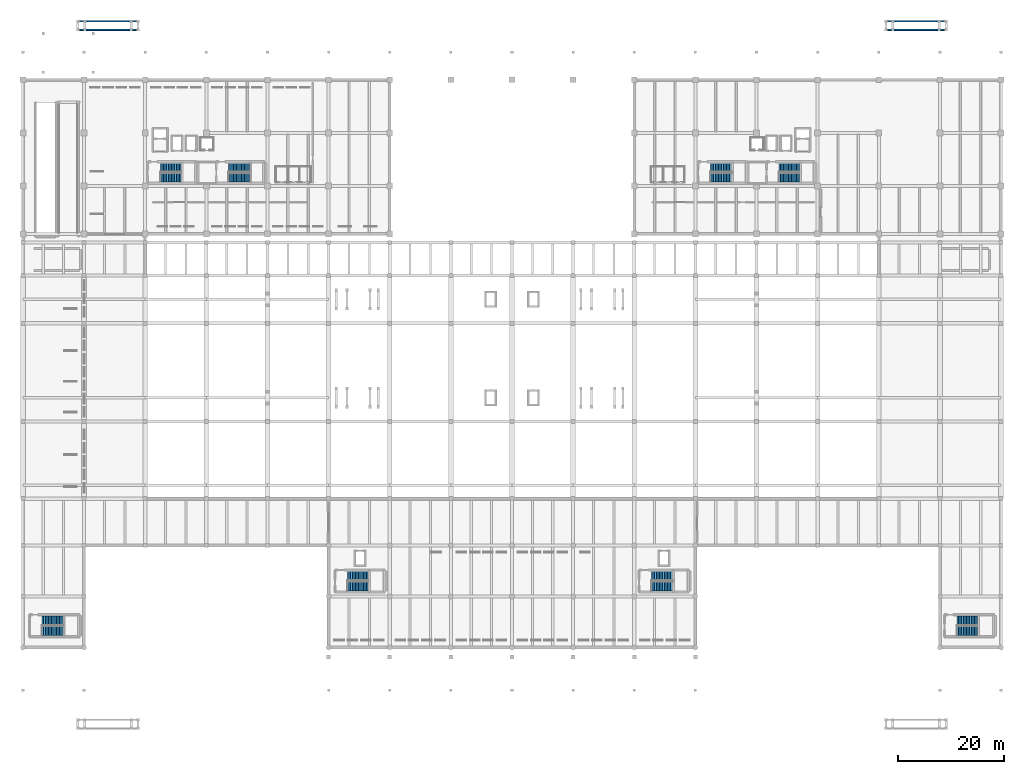
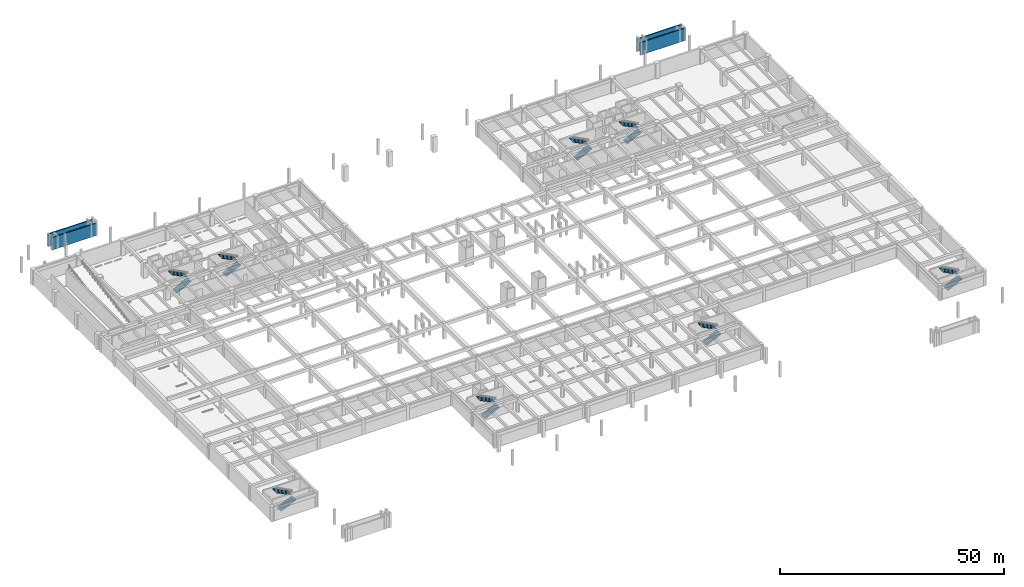
# One storey, part 16 of 20: 16 stair flights, 4 walls, 8 elements without a shape of their own.
"""IFC4 building model written with IfcOpenShell, lengths in metres."""

from ifc_helpers import new_model, si_unit, direction, frame, frame_2d, origin, place, context, subcontext, project, spatial, polyline, rectangle, outline, extrude, material, layer, layer_set, type_object, element, aggregate, save


model = new_model("IFC4")

# Units and contexts
model_context = context("Model", 3, precision=1e-05, world=origin(), true_north=direction((0.0, 1.0)))
body_context = subcontext(model_context, "Body", "Model", "MODEL_VIEW")
ifc_project = project(units=[si_unit("LENGTHUNIT", "METRE"), si_unit("AREAUNIT", "SQUARE_METRE"), si_unit("VOLUMEUNIT", "CUBIC_METRE"), si_unit("PLANEANGLEUNIT", "RADIAN"), si_unit("MASSUNIT", "GRAM", prefix="KILO")], contexts=[model_context])

# Site, building, storey
site_placement = place(None, origin())
site = spatial("IfcSite", under=ifc_project, at=site_placement, CompositionType="ELEMENT")
building_placement = place(site_placement, origin())
building = spatial("IfcBuilding", under=site, at=building_placement, Name="Ologun Quay Terminus", CompositionType="ELEMENT")
storey_placement = place(building_placement, frame((0.0, 0.0, -4.199951171875)))
storey = spatial("IfcBuildingStorey", under=building, at=storey_placement, Name="B01", CompositionType="ELEMENT", Elevation=-4.199951171875)

# Walls
ifc_material_1 = material(Name="Concrete C40/50", Category="concrete")
ifc_layer = layer(ifc_material_1, 0.27001953125)
ifc_layer_set = layer_set([ifc_layer], Name="Concrete C40/50")
wall_type = type_object("IfcWallType", Name="Vehicle Ramp Bay Structural Wall 270", PredefinedType="SHEAR", material=ifc_layer_set)
for number, where, z_axis, x_axis, name in (
    (1, (10.199951171875, 124.179931640625, 0.0), (0.0, 0.0, 1.0), (1.0, 0.0, 0.0), "SW-RMP Ramp Plinth Wall 1S B01"),
    (2, (10.199951171875, 125.820068359375, 0.0), (0.0, 0.0, 1.0), (1.0, 0.0, 0.0), "SW-RMP Ramp Plinth Wall 1N B01"),
    (3, (162.199951171875, 124.179931640625, 0.0), (0.0, 0.0, 1.0), (1.0, 0.0, 0.0), "SW-RMP Ramp Plinth Wall 2S B01"),
    (4, (162.199951171875, 125.820068359375, 0.0), (0.0, 0.0, 1.0), (1.0, 0.0, 0.0), "SW-RMP Ramp Plinth Wall 2N B01"),
):
    element("IfcWall", number, at=place(storey_placement, frame(where, z_axis=z_axis, x_axis=x_axis)), inside=storey, type_object=wall_type, Name=name, PredefinedType="SHEAR", context=body_context, shape_type="SweptSolid", body=[
        extrude(rectangle(XDim=11.60009765625, YDim=0.27001953125, at=frame_2d((5.800048828125, 0.0))), origin(), (0.0, 0.0, 1.0), 3.3798828125),
    ])

# Stair, stair flights
ifc_material_2 = material(Name="Concrete C40/50", Category="concrete")
stair_type_1 = type_object("IfcStairType", Name="Courtyard Wing Core Escape Stair 1700", PredefinedType="HALF_TURN_STAIR", material=ifc_material_2)
stair_1_placement = place(storey_placement, origin())
stair_1 = element("IfcStair", 5, at=stair_1_placement, inside=storey, type_object=stair_type_1, Name="ST-W1 Stair B01", PredefinedType="HALF_TURN_STAIR")
ifc_material_3 = material(Name="Concrete C40/50", Category="concrete")
stair_flight_type_1 = type_object("IfcStairFlightType", Name="Courtyard Wing Precast Concrete Stair Flight 1700", PredefinedType="STRAIGHT", material=ifc_material_3)
stair_flight_1_placement = place(storey_placement, frame((25.85009765625, 96.449951171875, 0.0), z_axis=(0.0, 0.0, 1.0), x_axis=(1.0, 0.0, 0.0)))
stair_flight_1 = element("IfcStairFlight", 6, at=stair_flight_1_placement, type_object=stair_flight_type_1, Name="ST-W1 Lower Flight B01", NumberOfRisers=14, NumberOfTreads=13, PredefinedType="STRAIGHT", RiserHeight=0.15, TreadLength=0.3, context=body_context, shape_type="SweptSolid", body=[
    extrude(outline(polyline([(0.0, 0.0), (0.0, 0.14990234375), (0.300048828125, 0.14990234375), (0.300048828125, 0.300048828125), (0.60009765625, 0.300048828125), (0.60009765625, 0.449951171875), (0.89990234375, 0.449951171875), (0.89990234375, 0.60009765625), (1.199951171875, 0.60009765625), (1.199951171875, 0.75), (1.5, 0.75), (1.5, 0.89990234375), (1.800048828125, 0.89990234375), (1.800048828125, 1.050048828125), (2.10009765625, 1.050048828125), (2.10009765625, 1.199951171875), (2.39990234375, 1.199951171875), (2.39990234375, 1.35009765625), (2.699951171875, 1.35009765625), (2.699951171875, 1.5), (3.0, 1.5), (3.0, 1.64990234375), (3.300048828125, 1.64990234375), (3.300048828125, 1.800048828125), (3.60009765625, 1.800048828125), (3.60009765625, 1.949951171875), (3.89990234375, 1.949951171875), (3.89990234375, 2.10009765625), (3.89990234375, 1.748779296875), (0.40234375, 0.0), (0.0, 0.0)])), frame((0.0, 0.85009765625, 0.0), z_axis=(0.0, -1.0, 0.0), x_axis=(1.0, 0.0, 0.0)), (0.0, 0.0, 1.0), 1.699951171875),
])
stair_flight_2_placement = place(storey_placement, frame((29.75, 98.25, 2.099853515625), z_axis=(0.0, 0.0, 1.0), x_axis=(-1.0, 0.0, 0.0)))
stair_flight_2 = element("IfcStairFlight", 7, at=stair_flight_2_placement, type_object=stair_flight_type_1, Name="ST-W1 Upper Flight B01", NumberOfRisers=14, NumberOfTreads=13, PredefinedType="STRAIGHT", RiserHeight=0.15, TreadLength=0.3, context=body_context, shape_type="SweptSolid", body=[
    extrude(outline(polyline([(0.0, 0.0), (0.0, 0.14990234375), (0.300048828125, 0.14990234375), (0.300048828125, 0.300048828125), (0.60009765625, 0.300048828125), (0.60009765625, 0.449951171875), (0.89990234375, 0.449951171875), (0.89990234375, 0.60009765625), (1.199951171875, 0.60009765625), (1.199951171875, 0.75), (1.5, 0.75), (1.5, 0.89990234375), (1.800048828125, 0.89990234375), (1.800048828125, 1.050048828125), (2.10009765625, 1.050048828125), (2.10009765625, 1.199951171875), (2.39990234375, 1.199951171875), (2.39990234375, 1.35009765625), (2.699951171875, 1.35009765625), (2.699951171875, 1.5), (3.0, 1.5), (3.0, 1.64990234375), (3.300048828125, 1.64990234375), (3.300048828125, 1.800048828125), (3.60009765625, 1.800048828125), (3.60009765625, 1.949951171875), (3.89990234375, 1.949951171875), (3.89990234375, 2.10009765625), (3.89990234375, 1.748779296875), (0.40234375, 0.0), (0.0, 0.0)])), frame((0.0, 0.85009765625, 0.0), z_axis=(0.0, -1.0, 0.0), x_axis=(1.0, 0.0, 0.0)), (0.0, 0.0, 1.0), 1.699951171875),
])
aggregate(stair_1, [stair_flight_1, stair_flight_2])

stair_2_placement = place(storey_placement, origin())
stair_2 = element("IfcStair", 8, at=stair_2_placement, inside=storey, type_object=stair_type_1, Name="ST-W2 Stair B01", PredefinedType="HALF_TURN_STAIR")
stair_flight_3_placement = place(storey_placement, frame((38.699951171875, 96.449951171875, 0.0), z_axis=(0.0, 0.0, 1.0), x_axis=(1.0, 0.0, 0.0)))
stair_flight_3 = element("IfcStairFlight", 9, at=stair_flight_3_placement, type_object=stair_flight_type_1, Name="ST-W2 Lower Flight B01", NumberOfRisers=14, NumberOfTreads=13, PredefinedType="STRAIGHT", RiserHeight=0.15, TreadLength=0.3, context=body_context, shape_type="SweptSolid", body=[
    extrude(outline(polyline([(0.0, 0.0), (0.0, 0.14990234375), (0.300048828125, 0.14990234375), (0.300048828125, 0.300048828125), (0.60009765625, 0.300048828125), (0.60009765625, 0.449951171875), (0.89990234375, 0.449951171875), (0.89990234375, 0.60009765625), (1.199951171875, 0.60009765625), (1.199951171875, 0.75), (1.5, 0.75), (1.5, 0.89990234375), (1.800048828125, 0.89990234375), (1.800048828125, 1.050048828125), (2.10009765625, 1.050048828125), (2.10009765625, 1.199951171875), (2.39990234375, 1.199951171875), (2.39990234375, 1.35009765625), (2.699951171875, 1.35009765625), (2.699951171875, 1.5), (3.0, 1.5), (3.0, 1.64990234375), (3.300048828125, 1.64990234375), (3.300048828125, 1.800048828125), (3.60009765625, 1.800048828125), (3.60009765625, 1.949951171875), (3.89990234375, 1.949951171875), (3.89990234375, 2.10009765625), (3.89990234375, 1.748779296875), (0.40234375, 0.0), (0.0, 0.0)])), frame((0.0, 0.85009765625, 0.0), z_axis=(0.0, -1.0, 0.0), x_axis=(1.0, 0.0, 0.0)), (0.0, 0.0, 1.0), 1.699951171875),
])
stair_flight_4_placement = place(storey_placement, frame((42.60009765625, 98.25, 2.099853515625), z_axis=(0.0, 0.0, 1.0), x_axis=(-1.0, 0.0, 0.0)))
stair_flight_4 = element("IfcStairFlight", 10, at=stair_flight_4_placement, type_object=stair_flight_type_1, Name="ST-W2 Upper Flight B01", NumberOfRisers=14, NumberOfTreads=13, PredefinedType="STRAIGHT", RiserHeight=0.15, TreadLength=0.3, context=body_context, shape_type="SweptSolid", body=[
    extrude(outline(polyline([(0.0, 0.0), (0.0, 0.14990234375), (0.300048828125, 0.14990234375), (0.300048828125, 0.300048828125), (0.60009765625, 0.300048828125), (0.60009765625, 0.449951171875), (0.89990234375, 0.449951171875), (0.89990234375, 0.60009765625), (1.199951171875, 0.60009765625), (1.199951171875, 0.75), (1.5, 0.75), (1.5, 0.89990234375), (1.800048828125, 0.89990234375), (1.800048828125, 1.050048828125), (2.10009765625, 1.050048828125), (2.10009765625, 1.199951171875), (2.39990234375, 1.199951171875), (2.39990234375, 1.35009765625), (2.699951171875, 1.35009765625), (2.699951171875, 1.5), (3.0, 1.5), (3.0, 1.64990234375), (3.300048828125, 1.64990234375), (3.300048828125, 1.800048828125), (3.60009765625, 1.800048828125), (3.60009765625, 1.949951171875), (3.89990234375, 1.949951171875), (3.89990234375, 2.10009765625), (3.89990234375, 1.748779296875), (0.40234375, 0.0), (0.0, 0.0)])), frame((0.0, 0.85009765625, 0.0), z_axis=(0.0, -1.0, 0.0), x_axis=(1.0, 0.0, 0.0)), (0.0, 0.0, 1.0), 1.699951171875),
])
aggregate(stair_2, [stair_flight_3, stair_flight_4])

stair_3_placement = place(storey_placement, origin())
stair_3 = element("IfcStair", 11, at=stair_3_placement, inside=storey, type_object=stair_type_1, Name="ST-E1 Stair B01", PredefinedType="HALF_TURN_STAIR")
stair_flight_5_placement = place(storey_placement, frame((129.35009765625, 96.449951171875, 0.0), z_axis=(0.0, 0.0, 1.0), x_axis=(1.0, 0.0, 0.0)))
stair_flight_5 = element("IfcStairFlight", 12, at=stair_flight_5_placement, type_object=stair_flight_type_1, Name="ST-E1 Lower Flight B01", NumberOfRisers=14, NumberOfTreads=13, PredefinedType="STRAIGHT", RiserHeight=0.15, TreadLength=0.3, context=body_context, shape_type="SweptSolid", body=[
    extrude(outline(polyline([(0.0, 0.0), (0.0, 0.14990234375), (0.300048828125, 0.14990234375), (0.300048828125, 0.300048828125), (0.60009765625, 0.300048828125), (0.60009765625, 0.449951171875), (0.89990234375, 0.449951171875), (0.89990234375, 0.60009765625), (1.199951171875, 0.60009765625), (1.199951171875, 0.75), (1.5, 0.75), (1.5, 0.89990234375), (1.800048828125, 0.89990234375), (1.800048828125, 1.050048828125), (2.10009765625, 1.050048828125), (2.10009765625, 1.199951171875), (2.39990234375, 1.199951171875), (2.39990234375, 1.35009765625), (2.699951171875, 1.35009765625), (2.699951171875, 1.5), (3.0, 1.5), (3.0, 1.64990234375), (3.300048828125, 1.64990234375), (3.300048828125, 1.800048828125), (3.60009765625, 1.800048828125), (3.60009765625, 1.949951171875), (3.89990234375, 1.949951171875), (3.89990234375, 2.10009765625), (3.89990234375, 1.748779296875), (0.40234375, 0.0), (0.0, 0.0)])), frame((0.0, 0.85009765625, 0.0), z_axis=(0.0, -1.0, 0.0), x_axis=(1.0, 0.0, 0.0)), (0.0, 0.0, 1.0), 1.699951171875),
])
stair_flight_6_placement = place(storey_placement, frame((133.25, 98.25, 2.099853515625), z_axis=(0.0, 0.0, 1.0), x_axis=(-1.0, 0.0, 0.0)))
stair_flight_6 = element("IfcStairFlight", 13, at=stair_flight_6_placement, type_object=stair_flight_type_1, Name="ST-E1 Upper Flight B01", NumberOfRisers=14, NumberOfTreads=13, PredefinedType="STRAIGHT", RiserHeight=0.15, TreadLength=0.3, context=body_context, shape_type="SweptSolid", body=[
    extrude(outline(polyline([(0.0, 0.0), (0.0, 0.14990234375), (0.300048828125, 0.14990234375), (0.300048828125, 0.300048828125), (0.60009765625, 0.300048828125), (0.60009765625, 0.449951171875), (0.89990234375, 0.449951171875), (0.89990234375, 0.60009765625), (1.199951171875, 0.60009765625), (1.199951171875, 0.75), (1.5, 0.75), (1.5, 0.89990234375), (1.800048828125, 0.89990234375), (1.800048828125, 1.050048828125), (2.10009765625, 1.050048828125), (2.10009765625, 1.199951171875), (2.39990234375, 1.199951171875), (2.39990234375, 1.35009765625), (2.699951171875, 1.35009765625), (2.699951171875, 1.5), (3.0, 1.5), (3.0, 1.64990234375), (3.300048828125, 1.64990234375), (3.300048828125, 1.800048828125), (3.60009765625, 1.800048828125), (3.60009765625, 1.949951171875), (3.89990234375, 1.949951171875), (3.89990234375, 2.10009765625), (3.89990234375, 1.748779296875), (0.40234375, 0.0), (0.0, 0.0)])), frame((0.0, 0.85009765625, 0.0), z_axis=(0.0, -1.0, 0.0), x_axis=(1.0, 0.0, 0.0)), (0.0, 0.0, 1.0), 1.699951171875),
])
aggregate(stair_3, [stair_flight_5, stair_flight_6])

stair_4_placement = place(storey_placement, origin())
stair_4 = element("IfcStair", 14, at=stair_4_placement, inside=storey, type_object=stair_type_1, Name="ST-E2 Stair B01", PredefinedType="HALF_TURN_STAIR")
stair_flight_7_placement = place(storey_placement, frame((142.199951171875, 96.449951171875, 0.0), z_axis=(0.0, 0.0, 1.0), x_axis=(1.0, 0.0, 0.0)))
stair_flight_7 = element("IfcStairFlight", 15, at=stair_flight_7_placement, type_object=stair_flight_type_1, Name="ST-E2 Lower Flight B01", NumberOfRisers=14, NumberOfTreads=13, PredefinedType="STRAIGHT", RiserHeight=0.15, TreadLength=0.3, context=body_context, shape_type="SweptSolid", body=[
    extrude(outline(polyline([(0.0, 0.0), (0.0, 0.14990234375), (0.300048828125, 0.14990234375), (0.300048828125, 0.300048828125), (0.60009765625, 0.300048828125), (0.60009765625, 0.449951171875), (0.89990234375, 0.449951171875), (0.89990234375, 0.60009765625), (1.199951171875, 0.60009765625), (1.199951171875, 0.75), (1.5, 0.75), (1.5, 0.89990234375), (1.800048828125, 0.89990234375), (1.800048828125, 1.050048828125), (2.10009765625, 1.050048828125), (2.10009765625, 1.199951171875), (2.39990234375, 1.199951171875), (2.39990234375, 1.35009765625), (2.699951171875, 1.35009765625), (2.699951171875, 1.5), (3.0, 1.5), (3.0, 1.64990234375), (3.300048828125, 1.64990234375), (3.300048828125, 1.800048828125), (3.60009765625, 1.800048828125), (3.60009765625, 1.949951171875), (3.89990234375, 1.949951171875), (3.89990234375, 2.10009765625), (3.89990234375, 1.748779296875), (0.40234375, 0.0), (0.0, 0.0)])), frame((0.0, 0.85009765625, 0.0), z_axis=(0.0, -1.0, 0.0), x_axis=(1.0, 0.0, 0.0)), (0.0, 0.0, 1.0), 1.699951171875),
])
stair_flight_8_placement = place(storey_placement, frame((146.10009765625, 98.25, 2.099853515625), z_axis=(0.0, 0.0, 1.0), x_axis=(-1.0, 0.0, 0.0)))
stair_flight_8 = element("IfcStairFlight", 16, at=stair_flight_8_placement, type_object=stair_flight_type_1, Name="ST-E2 Upper Flight B01", NumberOfRisers=14, NumberOfTreads=13, PredefinedType="STRAIGHT", RiserHeight=0.15, TreadLength=0.3, context=body_context, shape_type="SweptSolid", body=[
    extrude(outline(polyline([(0.0, 0.0), (0.0, 0.14990234375), (0.300048828125, 0.14990234375), (0.300048828125, 0.300048828125), (0.60009765625, 0.300048828125), (0.60009765625, 0.449951171875), (0.89990234375, 0.449951171875), (0.89990234375, 0.60009765625), (1.199951171875, 0.60009765625), (1.199951171875, 0.75), (1.5, 0.75), (1.5, 0.89990234375), (1.800048828125, 0.89990234375), (1.800048828125, 1.050048828125), (2.10009765625, 1.050048828125), (2.10009765625, 1.199951171875), (2.39990234375, 1.199951171875), (2.39990234375, 1.35009765625), (2.699951171875, 1.35009765625), (2.699951171875, 1.5), (3.0, 1.5), (3.0, 1.64990234375), (3.300048828125, 1.64990234375), (3.300048828125, 1.800048828125), (3.60009765625, 1.800048828125), (3.60009765625, 1.949951171875), (3.89990234375, 1.949951171875), (3.89990234375, 2.10009765625), (3.89990234375, 1.748779296875), (0.40234375, 0.0), (0.0, 0.0)])), frame((0.0, 0.85009765625, 0.0), z_axis=(0.0, -1.0, 0.0), x_axis=(1.0, 0.0, 0.0)), (0.0, 0.0, 1.0), 1.699951171875),
])
aggregate(stair_4, [stair_flight_7, stair_flight_8])

ifc_material_4 = material(Name="Concrete C40/50", Category="concrete")
stair_type_2 = type_object("IfcStairType", Name="Station Concourse Escape Stair 1800", PredefinedType="HALF_TURN_STAIR", material=ifc_material_4)
stair_5_placement = place(storey_placement, origin())
stair_5 = element("IfcStair", 17, at=stair_5_placement, inside=storey, type_object=stair_type_2, Name="ST-S1 Stair B01", PredefinedType="HALF_TURN_STAIR")
ifc_material_5 = material(Name="Concrete C40/50", Category="concrete")
stair_flight_type_2 = type_object("IfcStairFlightType", Name="Station Precast Concrete Stair Flight 1800", PredefinedType="STRAIGHT", material=ifc_material_5)
stair_flight_9_placement = place(storey_placement, frame((3.60009765625, 11.14990234375, 0.0), z_axis=(0.0, 0.0, 1.0), x_axis=(1.0, 0.0, 0.0)))
stair_flight_9 = element("IfcStairFlight", 18, at=stair_flight_9_placement, type_object=stair_flight_type_2, Name="ST-S1 Lower Flight B01", NumberOfRisers=14, NumberOfTreads=13, PredefinedType="STRAIGHT", RiserHeight=0.15, TreadLength=0.3, context=body_context, shape_type="SweptSolid", body=[
    extrude(outline(polyline([(0.0, 0.0), (0.0, 0.14990234375), (0.300048828125, 0.14990234375), (0.300048828125, 0.300048828125), (0.60009765625, 0.300048828125), (0.60009765625, 0.449951171875), (0.89990234375, 0.449951171875), (0.89990234375, 0.60009765625), (1.199951171875, 0.60009765625), (1.199951171875, 0.75), (1.5, 0.75), (1.5, 0.89990234375), (1.800048828125, 0.89990234375), (1.800048828125, 1.050048828125), (2.10009765625, 1.050048828125), (2.10009765625, 1.199951171875), (2.39990234375, 1.199951171875), (2.39990234375, 1.35009765625), (2.699951171875, 1.35009765625), (2.699951171875, 1.5), (3.0, 1.5), (3.0, 1.64990234375), (3.300048828125, 1.64990234375), (3.300048828125, 1.800048828125), (3.60009765625, 1.800048828125), (3.60009765625, 1.949951171875), (3.89990234375, 1.949951171875), (3.89990234375, 2.10009765625), (3.89990234375, 1.7265625), (0.447021484375, 0.0), (0.0, 0.0)])), frame((0.0, 0.89990234375, 0.0), z_axis=(0.0, -1.0, 0.0), x_axis=(1.0, 0.0, 0.0)), (0.0, 0.0, 1.0), 1.800048828125),
])
stair_flight_10_placement = place(storey_placement, frame((7.5, 13.050048828125, 2.099853515625), z_axis=(0.0, 0.0, 1.0), x_axis=(-1.0, 0.0, 0.0)))
stair_flight_10 = element("IfcStairFlight", 19, at=stair_flight_10_placement, type_object=stair_flight_type_2, Name="ST-S1 Upper Flight B01", NumberOfRisers=14, NumberOfTreads=13, PredefinedType="STRAIGHT", RiserHeight=0.15, TreadLength=0.3, context=body_context, shape_type="SweptSolid", body=[
    extrude(outline(polyline([(0.0, 0.0), (0.0, 0.14990234375), (0.300048828125, 0.14990234375), (0.300048828125, 0.300048828125), (0.60009765625, 0.300048828125), (0.60009765625, 0.449951171875), (0.89990234375, 0.449951171875), (0.89990234375, 0.60009765625), (1.199951171875, 0.60009765625), (1.199951171875, 0.75), (1.5, 0.75), (1.5, 0.89990234375), (1.800048828125, 0.89990234375), (1.800048828125, 1.050048828125), (2.10009765625, 1.050048828125), (2.10009765625, 1.199951171875), (2.39990234375, 1.199951171875), (2.39990234375, 1.35009765625), (2.699951171875, 1.35009765625), (2.699951171875, 1.5), (3.0, 1.5), (3.0, 1.64990234375), (3.300048828125, 1.64990234375), (3.300048828125, 1.800048828125), (3.60009765625, 1.800048828125), (3.60009765625, 1.949951171875), (3.89990234375, 1.949951171875), (3.89990234375, 2.10009765625), (3.89990234375, 1.7265625), (0.447021484375, 0.0), (0.0, 0.0)])), frame((0.0, 0.89990234375, 0.0), z_axis=(0.0, -1.0, 0.0), x_axis=(1.0, 0.0, 0.0)), (0.0, 0.0, 1.0), 1.800048828125),
])
aggregate(stair_5, [stair_flight_9, stair_flight_10])

stair_6_placement = place(storey_placement, origin())
stair_6 = element("IfcStair", 20, at=stair_6_placement, inside=storey, type_object=stair_type_2, Name="ST-S2 Stair B01", PredefinedType="HALF_TURN_STAIR")
stair_flight_11_placement = place(storey_placement, frame((175.699951171875, 11.14990234375, 0.0), z_axis=(0.0, 0.0, 1.0), x_axis=(1.0, 0.0, 0.0)))
stair_flight_11 = element("IfcStairFlight", 21, at=stair_flight_11_placement, type_object=stair_flight_type_2, Name="ST-S2 Lower Flight B01", NumberOfRisers=14, NumberOfTreads=13, PredefinedType="STRAIGHT", RiserHeight=0.15, TreadLength=0.3, context=body_context, shape_type="SweptSolid", body=[
    extrude(outline(polyline([(0.0, 0.0), (0.0, 0.14990234375), (0.300048828125, 0.14990234375), (0.300048828125, 0.300048828125), (0.60009765625, 0.300048828125), (0.60009765625, 0.449951171875), (0.89990234375, 0.449951171875), (0.89990234375, 0.60009765625), (1.199951171875, 0.60009765625), (1.199951171875, 0.75), (1.5, 0.75), (1.5, 0.89990234375), (1.800048828125, 0.89990234375), (1.800048828125, 1.050048828125), (2.10009765625, 1.050048828125), (2.10009765625, 1.199951171875), (2.39990234375, 1.199951171875), (2.39990234375, 1.35009765625), (2.699951171875, 1.35009765625), (2.699951171875, 1.5), (3.0, 1.5), (3.0, 1.64990234375), (3.300048828125, 1.64990234375), (3.300048828125, 1.800048828125), (3.60009765625, 1.800048828125), (3.60009765625, 1.949951171875), (3.89990234375, 1.949951171875), (3.89990234375, 2.10009765625), (3.89990234375, 1.7265625), (0.447021484375, 0.0), (0.0, 0.0)])), frame((0.0, 0.89990234375, 0.0), z_axis=(0.0, -1.0, 0.0), x_axis=(1.0, 0.0, 0.0)), (0.0, 0.0, 1.0), 1.800048828125),
])
stair_flight_12_placement = place(storey_placement, frame((179.60009765625, 13.050048828125, 2.099853515625), z_axis=(0.0, 0.0, 1.0), x_axis=(-1.0, 0.0, 0.0)))
stair_flight_12 = element("IfcStairFlight", 22, at=stair_flight_12_placement, type_object=stair_flight_type_2, Name="ST-S2 Upper Flight B01", NumberOfRisers=14, NumberOfTreads=13, PredefinedType="STRAIGHT", RiserHeight=0.15, TreadLength=0.3, context=body_context, shape_type="SweptSolid", body=[
    extrude(outline(polyline([(0.0, 0.0), (0.0, 0.14990234375), (0.300048828125, 0.14990234375), (0.300048828125, 0.300048828125), (0.60009765625, 0.300048828125), (0.60009765625, 0.449951171875), (0.89990234375, 0.449951171875), (0.89990234375, 0.60009765625), (1.199951171875, 0.60009765625), (1.199951171875, 0.75), (1.5, 0.75), (1.5, 0.89990234375), (1.800048828125, 0.89990234375), (1.800048828125, 1.050048828125), (2.10009765625, 1.050048828125), (2.10009765625, 1.199951171875), (2.39990234375, 1.199951171875), (2.39990234375, 1.35009765625), (2.699951171875, 1.35009765625), (2.699951171875, 1.5), (3.0, 1.5), (3.0, 1.64990234375), (3.300048828125, 1.64990234375), (3.300048828125, 1.800048828125), (3.60009765625, 1.800048828125), (3.60009765625, 1.949951171875), (3.89990234375, 1.949951171875), (3.89990234375, 2.10009765625), (3.89990234375, 1.7265625), (0.447021484375, 0.0), (0.0, 0.0)])), frame((0.0, 0.89990234375, 0.0), z_axis=(0.0, -1.0, 0.0), x_axis=(1.0, 0.0, 0.0)), (0.0, 0.0, 1.0), 1.800048828125),
])
aggregate(stair_6, [stair_flight_11, stair_flight_12])

stair_7_placement = place(storey_placement, origin())
stair_7 = element("IfcStair", 23, at=stair_7_placement, inside=storey, type_object=stair_type_2, Name="ST-S3 Stair B01", PredefinedType="HALF_TURN_STAIR")
stair_flight_13_placement = place(storey_placement, frame((61.050048828125, 19.550048828125, 0.0), z_axis=(0.0, 0.0, 1.0), x_axis=(1.0, 0.0, 0.0)))
stair_flight_13 = element("IfcStairFlight", 24, at=stair_flight_13_placement, type_object=stair_flight_type_2, Name="ST-S3 Lower Flight B01", NumberOfRisers=14, NumberOfTreads=13, PredefinedType="STRAIGHT", RiserHeight=0.15, TreadLength=0.3, context=body_context, shape_type="SweptSolid", body=[
    extrude(outline(polyline([(0.0, 0.0), (0.0, 0.14990234375), (0.300048828125, 0.14990234375), (0.300048828125, 0.300048828125), (0.60009765625, 0.300048828125), (0.60009765625, 0.449951171875), (0.89990234375, 0.449951171875), (0.89990234375, 0.60009765625), (1.199951171875, 0.60009765625), (1.199951171875, 0.75), (1.5, 0.75), (1.5, 0.89990234375), (1.800048828125, 0.89990234375), (1.800048828125, 1.050048828125), (2.10009765625, 1.050048828125), (2.10009765625, 1.199951171875), (2.39990234375, 1.199951171875), (2.39990234375, 1.35009765625), (2.699951171875, 1.35009765625), (2.699951171875, 1.5), (3.0, 1.5), (3.0, 1.64990234375), (3.300048828125, 1.64990234375), (3.300048828125, 1.800048828125), (3.60009765625, 1.800048828125), (3.60009765625, 1.949951171875), (3.89990234375, 1.949951171875), (3.89990234375, 2.10009765625), (3.89990234375, 1.7265625), (0.447021484375, 0.0), (0.0, 0.0)])), frame((0.0, 0.89990234375, 0.0), z_axis=(0.0, -1.0, 0.0), x_axis=(1.0, 0.0, 0.0)), (0.0, 0.0, 1.0), 1.800048828125),
])
stair_flight_14_placement = place(storey_placement, frame((64.949951171875, 21.449951171875, 2.099853515625), z_axis=(0.0, 0.0, 1.0), x_axis=(-1.0, 0.0, 0.0)))
stair_flight_14 = element("IfcStairFlight", 25, at=stair_flight_14_placement, type_object=stair_flight_type_2, Name="ST-S3 Upper Flight B01", NumberOfRisers=14, NumberOfTreads=13, PredefinedType="STRAIGHT", RiserHeight=0.15, TreadLength=0.3, context=body_context, shape_type="SweptSolid", body=[
    extrude(outline(polyline([(0.0, 0.0), (0.0, 0.14990234375), (0.300048828125, 0.14990234375), (0.300048828125, 0.300048828125), (0.60009765625, 0.300048828125), (0.60009765625, 0.449951171875), (0.89990234375, 0.449951171875), (0.89990234375, 0.60009765625), (1.199951171875, 0.60009765625), (1.199951171875, 0.75), (1.5, 0.75), (1.5, 0.89990234375), (1.800048828125, 0.89990234375), (1.800048828125, 1.050048828125), (2.10009765625, 1.050048828125), (2.10009765625, 1.199951171875), (2.39990234375, 1.199951171875), (2.39990234375, 1.35009765625), (2.699951171875, 1.35009765625), (2.699951171875, 1.5), (3.0, 1.5), (3.0, 1.64990234375), (3.300048828125, 1.64990234375), (3.300048828125, 1.800048828125), (3.60009765625, 1.800048828125), (3.60009765625, 1.949951171875), (3.89990234375, 1.949951171875), (3.89990234375, 2.10009765625), (3.89990234375, 1.7265625), (0.447021484375, 0.0), (0.0, 0.0)])), frame((0.0, 0.89990234375, 0.0), z_axis=(0.0, -1.0, 0.0), x_axis=(1.0, 0.0, 0.0)), (0.0, 0.0, 1.0), 1.800048828125),
])
aggregate(stair_7, [stair_flight_13, stair_flight_14])

stair_8_placement = place(storey_placement, origin())
stair_8 = element("IfcStair", 26, at=stair_8_placement, inside=storey, type_object=stair_type_2, Name="ST-S4 Stair B01", PredefinedType="HALF_TURN_STAIR")
stair_flight_15_placement = place(storey_placement, frame((118.25, 19.550048828125, 0.0), z_axis=(0.0, 0.0, 1.0), x_axis=(1.0, 0.0, 0.0)))
stair_flight_15 = element("IfcStairFlight", 27, at=stair_flight_15_placement, type_object=stair_flight_type_2, Name="ST-S4 Lower Flight B01", NumberOfRisers=14, NumberOfTreads=13, PredefinedType="STRAIGHT", RiserHeight=0.15, TreadLength=0.3, context=body_context, shape_type="SweptSolid", body=[
    extrude(outline(polyline([(0.0, 0.0), (0.0, 0.14990234375), (0.300048828125, 0.14990234375), (0.300048828125, 0.300048828125), (0.60009765625, 0.300048828125), (0.60009765625, 0.449951171875), (0.89990234375, 0.449951171875), (0.89990234375, 0.60009765625), (1.199951171875, 0.60009765625), (1.199951171875, 0.75), (1.5, 0.75), (1.5, 0.89990234375), (1.800048828125, 0.89990234375), (1.800048828125, 1.050048828125), (2.10009765625, 1.050048828125), (2.10009765625, 1.199951171875), (2.39990234375, 1.199951171875), (2.39990234375, 1.35009765625), (2.699951171875, 1.35009765625), (2.699951171875, 1.5), (3.0, 1.5), (3.0, 1.64990234375), (3.300048828125, 1.64990234375), (3.300048828125, 1.800048828125), (3.60009765625, 1.800048828125), (3.60009765625, 1.949951171875), (3.89990234375, 1.949951171875), (3.89990234375, 2.10009765625), (3.89990234375, 1.7265625), (0.447021484375, 0.0), (0.0, 0.0)])), frame((0.0, 0.89990234375, 0.0), z_axis=(0.0, -1.0, 0.0), x_axis=(1.0, 0.0, 0.0)), (0.0, 0.0, 1.0), 1.800048828125),
])
stair_flight_16_placement = place(storey_placement, frame((122.14990234375, 21.449951171875, 2.099853515625), z_axis=(0.0, 0.0, 1.0), x_axis=(-1.0, 0.0, 0.0)))
stair_flight_16 = element("IfcStairFlight", 28, at=stair_flight_16_placement, type_object=stair_flight_type_2, Name="ST-S4 Upper Flight B01", NumberOfRisers=14, NumberOfTreads=13, PredefinedType="STRAIGHT", RiserHeight=0.15, TreadLength=0.3, context=body_context, shape_type="SweptSolid", body=[
    extrude(outline(polyline([(0.0, 0.0), (0.0, 0.14990234375), (0.300048828125, 0.14990234375), (0.300048828125, 0.300048828125), (0.60009765625, 0.300048828125), (0.60009765625, 0.449951171875), (0.89990234375, 0.449951171875), (0.89990234375, 0.60009765625), (1.199951171875, 0.60009765625), (1.199951171875, 0.75), (1.5, 0.75), (1.5, 0.89990234375), (1.800048828125, 0.89990234375), (1.800048828125, 1.050048828125), (2.10009765625, 1.050048828125), (2.10009765625, 1.199951171875), (2.39990234375, 1.199951171875), (2.39990234375, 1.35009765625), (2.699951171875, 1.35009765625), (2.699951171875, 1.5), (3.0, 1.5), (3.0, 1.64990234375), (3.300048828125, 1.64990234375), (3.300048828125, 1.800048828125), (3.60009765625, 1.800048828125), (3.60009765625, 1.949951171875), (3.89990234375, 1.949951171875), (3.89990234375, 2.10009765625), (3.89990234375, 1.7265625), (0.447021484375, 0.0), (0.0, 0.0)])), frame((0.0, 0.89990234375, 0.0), z_axis=(0.0, -1.0, 0.0), x_axis=(1.0, 0.0, 0.0)), (0.0, 0.0, 1.0), 1.800048828125),
])
aggregate(stair_8, [stair_flight_15, stair_flight_16])

save(model, "model.ifc")
